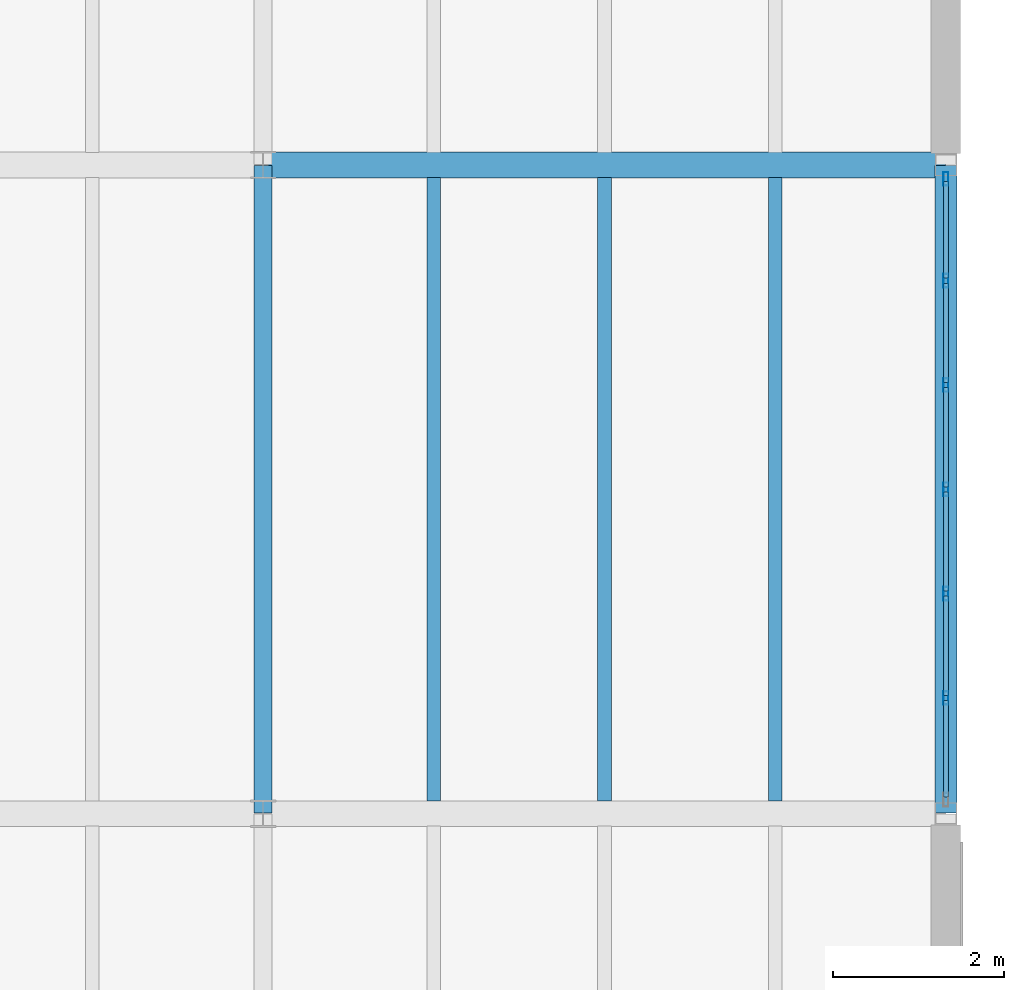
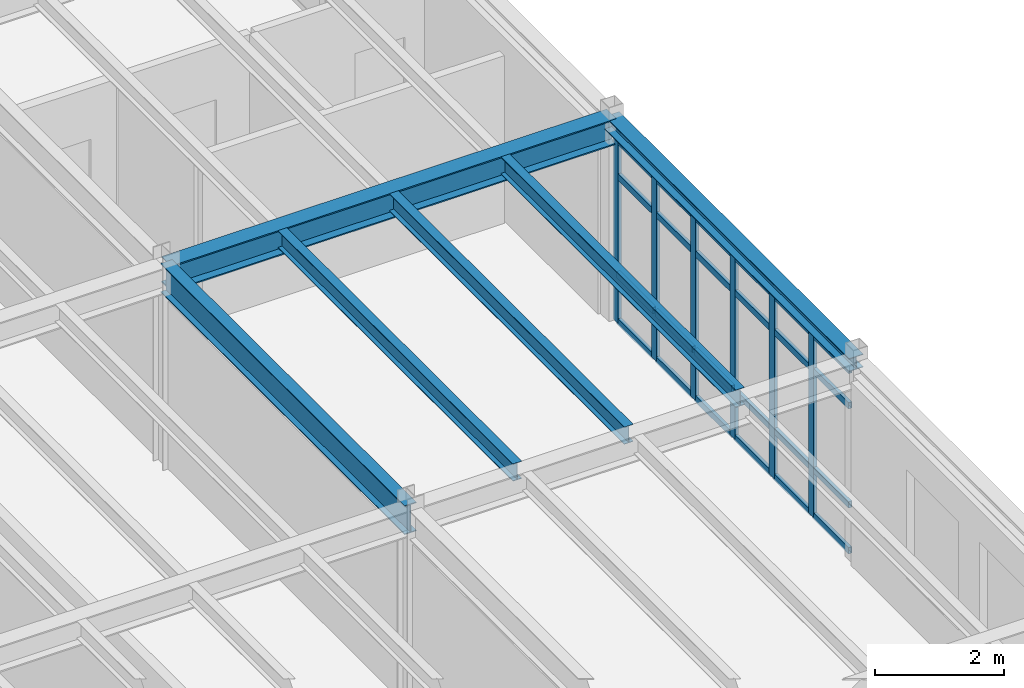
# One storey, part 120 of 189: 30 members, 6 beams, 1 element without a shape of its own.
"""IFC4 building model written with IfcOpenShell, lengths in metres."""

from ifc_helpers import new_model, si_unit, direction, frame, origin, origin_2d, place, context, subcontext, project, spatial, hollow_rectangle, i_section, extrude, material, layer, layer_set, material_profile, profile_set, type_object, element, aggregate, save


model = new_model("IFC4")

# Units and contexts
model_context = context("Model", 3, precision=1e-05, world=origin(), true_north=direction((0.0, 1.0)))
body_context = subcontext(model_context, "Body", "Model", "MODEL_VIEW")
ifc_project = project(units=[si_unit("LENGTHUNIT", "METRE"), si_unit("AREAUNIT", "SQUARE_METRE"), si_unit("VOLUMEUNIT", "CUBIC_METRE"), si_unit("PLANEANGLEUNIT", "RADIAN"), si_unit("MASSUNIT", "GRAM", prefix="KILO")], contexts=[model_context])

# Site, building, storey
site_placement = place(None, origin())
site = spatial("IfcSite", under=ifc_project, at=site_placement, CompositionType="ELEMENT")
building_placement = place(site_placement, origin())
building = spatial("IfcBuilding", under=site, at=building_placement, Name="Montecoro Central Library", CompositionType="ELEMENT")
storey_placement = place(building_placement, frame((0.0, 0.0, 9.179931640625)))
storey = spatial("IfcBuildingStorey", under=building, at=storey_placement, Name="L02", CompositionType="ELEMENT", Elevation=9.179931640625)

# Beams
ifc_material_1 = material(Name="Steel S355J2", Category="steel")
ifc_material_profile_1 = material_profile(ifc_material_1, i_section(OverallWidth=0.300048828125, OverallDepth=0.489990234375, WebThickness=0.011962890625, FlangeThickness=0.02294921875, at=origin_2d()), Name="HEA 500")
ifc_profile_set_1 = profile_set([ifc_material_profile_1], Name="Steel S355J2")
beam_type_1 = type_object("IfcBeamType", Name="BM-G-HEA500", PredefinedType="USERDEFINED", material=ifc_profile_set_1)
beam_1_placement = place(storey_placement, frame((165.0048828125, 27.800048828125, 3.580078125), z_axis=(1.0, 0.0, 0.0), x_axis=(0.0, 1.0, 0.0)))
element("IfcBeam", 1, at=beam_1_placement, inside=storey, type_object=beam_type_1, Name="V6-L02-BX-2122-D", ObjectType="GIRDER", PredefinedType="USERDEFINED", context=body_context, shape_type="SweptSolid", body=[
    extrude(i_section(OverallWidth=0.300048828125, OverallDepth=0.489990234375, WebThickness=0.011962890625, FlangeThickness=0.02294921875, at=origin_2d()), origin(), (0.0, 0.0, 1.0), 7.990234375),
])
ifc_material_profile_2 = material_profile(ifc_material_1, i_section(OverallWidth=0.2099609375, OverallDepth=0.550048828125, WebThickness=0.010986328125, FlangeThickness=0.01708984375, at=origin_2d()), Name="IPE 550")
ifc_profile_set_2 = profile_set([ifc_material_profile_2], Name="Steel S355J2")
beam_type_2 = type_object("IfcBeamType", Name="BM-G-IPE550", PredefinedType="USERDEFINED", material=ifc_profile_set_2)
beam_2_placement = place(storey_placement, frame((165.0, 20.205078125, 3.550048828125), z_axis=(0.0, 1.0, 0.0), x_axis=(-1.0, 0.0, 0.0)))
element("IfcBeam", 2, at=beam_2_placement, inside=storey, type_object=beam_type_2, Name="V6-L02-BY-21-CD", ObjectType="GIRDER", PredefinedType="USERDEFINED", context=body_context, shape_type="SweptSolid", body=[
    extrude(i_section(OverallWidth=0.2099609375, OverallDepth=0.550048828125, WebThickness=0.010986328125, FlangeThickness=0.01708984375, at=origin_2d()), origin(), (0.0, 0.0, 1.0), 7.58984375),
])
ifc_material_2 = material(Name="Steel S355", Category="steel")
ifc_material_profile_3 = material_profile(ifc_material_2, i_section(OverallWidth=0.159912109375, OverallDepth=0.330078125, WebThickness=0.007568359375, FlangeThickness=0.011474609375, at=origin_2d()), Name="IPE 330")
ifc_profile_set_3 = profile_set([ifc_material_profile_3], Name="Steel S355")
beam_type_3 = type_object("IfcBeamType", Name="BM-J-IPE330", PredefinedType="JOIST", material=ifc_profile_set_3)
for number, where, z_axis, x_axis, name in (
    (3, (167.0, 20.346923828125, 3.66015625), (0.0, 1.0, 0.0), (-1.0, 0.0, 0.0), "V6-L02-JS-2122-CD-1"),
    (4, (169.0, 20.346923828125, 3.66015625), (0.0, 1.0, 0.0), (-1.0, 0.0, 0.0), "V6-L02-JS-2122-CD-2"),
    (5, (171.0, 20.346923828125, 3.66015625), (0.0, 1.0, 0.0), (-1.0, 0.0, 0.0), "V6-L02-JS-2122-CD-3"),
):
    element("IfcBeam", number, at=place(storey_placement, frame(where, z_axis=z_axis, x_axis=x_axis)), inside=storey, type_object=beam_type_3, Name=name, PredefinedType="JOIST", context=body_context, shape_type="SweptSolid", body=[
        extrude(i_section(OverallWidth=0.159912109375, OverallDepth=0.330078125, WebThickness=0.007568359375, FlangeThickness=0.011474609375, at=origin_2d()), origin(), (0.0, 0.0, 1.0), 7.30615234375),
    ])
ifc_material_profile_4 = material_profile(ifc_material_2, i_section(OverallWidth=0.260009765625, OverallDepth=0.25, WebThickness=0.007568359375, FlangeThickness=0.012451171875, at=origin_2d()), Name="HEA 260")
ifc_profile_set_4 = profile_set([ifc_material_profile_4], Name="Steel S355")
beam_type_4 = type_object("IfcBeamType", Name="BM-SP-HEA260", PredefinedType="SPANDREL", material=ifc_profile_set_4)
beam_3_placement = place(storey_placement, frame((173.0, 20.205078125, 3.699951171875), z_axis=(0.0, 1.0, 0.0), x_axis=(-1.0, 0.0, 0.0)))
element("IfcBeam", 6, at=beam_3_placement, inside=storey, type_object=beam_type_4, Name="V6-L02-BY-22-CD", PredefinedType="SPANDREL", context=body_context, shape_type="SweptSolid", body=[
    extrude(i_section(OverallWidth=0.260009765625, OverallDepth=0.25, WebThickness=0.007568359375, FlangeThickness=0.012451171875, at=origin_2d()), origin(), (0.0, 0.0, 1.0), 7.58984375),
])

# Curtain wall, members
ifc_material_3 = material(Name="Bronze-anodised aluminium and low-E glazing", Category="aluminium")
ifc_layer = layer(ifc_material_3, 0.159912109375)
ifc_layer_set = layer_set([ifc_layer], Name="Bronze-anodised aluminium and low-E glazing")
curtain_wall_type = type_object("IfcCurtainWallType", Name="CWT-065", PredefinedType="NOTDEFINED", material=ifc_layer_set)
curtain_wall_placement = place(storey_placement, origin())
curtain_wall = element("IfcCurtainWall", 7, at=curtain_wall_placement, inside=storey, type_object=curtain_wall_type, Name="V6-L02-CW-E2", PredefinedType="NOTDEFINED")
ifc_material_4 = material(Name="Bronze-anodised aluminium", Category="aluminium")
ifc_material_profile_5 = material_profile(ifc_material_4, hollow_rectangle(XDim=0.06005859375, YDim=0.159912109375, WallThickness=0.00390625, at=origin_2d()), Name="CWM 160x60x4.0")
ifc_profile_set_5 = profile_set([ifc_material_profile_5], Name="Bronze-anodised aluminium")
member_type_1 = type_object("IfcMemberType", Name="CWM-BRZ-60", PredefinedType="MULLION", material=ifc_profile_set_5)
member_1_placement = place(storey_placement, frame((173.0, 21.555419921875, 0.0), z_axis=(0.0, 0.0, 1.0), x_axis=(-1.0, 0.0, 0.0)))
member_1 = element("IfcMember", 8, at=member_1_placement, type_object=member_type_1, Name="CW-065 mullion 2", PredefinedType="MULLION", context=body_context, shape_type="SweptSolid", body=[
    extrude(hollow_rectangle(XDim=0.06005859375, YDim=0.159912109375, WallThickness=0.00390625, at=origin_2d()), origin(), (0.0, 0.0, 1.0), 3.47998046875),
])
member_2_placement = place(storey_placement, frame((173.0, 22.777587890625, 0.0), z_axis=(0.0, 0.0, 1.0), x_axis=(-1.0, 0.0, 0.0)))
member_2 = element("IfcMember", 9, at=member_2_placement, type_object=member_type_1, Name="CW-065 mullion 3", PredefinedType="MULLION", context=body_context, shape_type="SweptSolid", body=[
    extrude(hollow_rectangle(XDim=0.06005859375, YDim=0.159912109375, WallThickness=0.00390625, at=origin_2d()), origin(), (0.0, 0.0, 1.0), 3.47998046875),
])
member_3_placement = place(storey_placement, frame((173.0, 24.0, 0.0), z_axis=(0.0, 0.0, 1.0), x_axis=(-1.0, 0.0, 0.0)))
member_3 = element("IfcMember", 10, at=member_3_placement, type_object=member_type_1, Name="CW-065 mullion 4", PredefinedType="MULLION", context=body_context, shape_type="SweptSolid", body=[
    extrude(hollow_rectangle(XDim=0.06005859375, YDim=0.159912109375, WallThickness=0.00390625, at=origin_2d()), origin(), (0.0, 0.0, 1.0), 3.47998046875),
])
member_4_placement = place(storey_placement, frame((173.0, 25.222412109375, 0.0), z_axis=(0.0, 0.0, 1.0), x_axis=(-1.0, 0.0, 0.0)))
member_4 = element("IfcMember", 11, at=member_4_placement, type_object=member_type_1, Name="CW-065 mullion 5", PredefinedType="MULLION", context=body_context, shape_type="SweptSolid", body=[
    extrude(hollow_rectangle(XDim=0.06005859375, YDim=0.159912109375, WallThickness=0.00390625, at=origin_2d()), origin(), (0.0, 0.0, 1.0), 3.47998046875),
])
member_5_placement = place(storey_placement, frame((173.0, 26.444580078125, 0.0), z_axis=(0.0, 0.0, 1.0), x_axis=(-1.0, 0.0, 0.0)))
member_5 = element("IfcMember", 12, at=member_5_placement, type_object=member_type_1, Name="CW-065 mullion 6", PredefinedType="MULLION", context=body_context, shape_type="SweptSolid", body=[
    extrude(hollow_rectangle(XDim=0.06005859375, YDim=0.159912109375, WallThickness=0.00390625, at=origin_2d()), origin(), (0.0, 0.0, 1.0), 3.47998046875),
])
member_6_placement = place(storey_placement, frame((173.0, 27.636962890625, 0.0), z_axis=(0.0, 0.0, 1.0), x_axis=(-1.0, 0.0, 0.0)))
member_6 = element("IfcMember", 13, at=member_6_placement, type_object=member_type_1, Name="CW-065 mullion 7", PredefinedType="MULLION", context=body_context, shape_type="SweptSolid", body=[
    extrude(hollow_rectangle(XDim=0.06005859375, YDim=0.159912109375, WallThickness=0.00390625, at=origin_2d()), origin(), (0.0, 0.0, 1.0), 3.47998046875),
])
ifc_material_profile_6 = material_profile(ifc_material_4, hollow_rectangle(XDim=0.06005859375, YDim=0.1201171875, WallThickness=0.00390625, at=origin_2d()), Name="CWT 120x60x4.0")
ifc_profile_set_6 = profile_set([ifc_material_profile_6], Name="Bronze-anodised aluminium")
member_type_2 = type_object("IfcMemberType", Name="CWT-BRZ-60", PredefinedType="USERDEFINED", material=ifc_profile_set_6)
member_7_placement = place(storey_placement, frame((173.0, 20.39306640625, 0.030029296875), z_axis=(0.0, 1.0, 0.0), x_axis=(-1.0, 0.0, 0.0)))
member_7 = element("IfcMember", 14, at=member_7_placement, type_object=member_type_2, Name="CW-065 transom 1.1", ObjectType="TRANSOM", PredefinedType="USERDEFINED", context=body_context, shape_type="SweptSolid", body=[
    extrude(hollow_rectangle(XDim=0.06005859375, YDim=0.1201171875, WallThickness=0.00390625, at=origin_2d()), origin(), (0.0, 0.0, 1.0), 1.13232421875),
])
member_8_placement = place(storey_placement, frame((173.0, 20.39306640625, 0.900146484375), z_axis=(0.0, 1.0, 0.0), x_axis=(-1.0, 0.0, 0.0)))
member_8 = element("IfcMember", 15, at=member_8_placement, type_object=member_type_2, Name="CW-065 transom 1.2", ObjectType="TRANSOM", PredefinedType="USERDEFINED", context=body_context, shape_type="SweptSolid", body=[
    extrude(hollow_rectangle(XDim=0.06005859375, YDim=0.1201171875, WallThickness=0.00390625, at=origin_2d()), origin(), (0.0, 0.0, 1.0), 1.13232421875),
])
member_9_placement = place(storey_placement, frame((173.0, 20.39306640625, 2.780029296875), z_axis=(0.0, 1.0, 0.0), x_axis=(-1.0, 0.0, 0.0)))
member_9 = element("IfcMember", 16, at=member_9_placement, type_object=member_type_2, Name="CW-065 transom 1.3", ObjectType="TRANSOM", PredefinedType="USERDEFINED", context=body_context, shape_type="SweptSolid", body=[
    extrude(hollow_rectangle(XDim=0.06005859375, YDim=0.1201171875, WallThickness=0.00390625, at=origin_2d()), origin(), (0.0, 0.0, 1.0), 1.13232421875),
])
member_10_placement = place(storey_placement, frame((173.0, 20.39306640625, 3.449951171875), z_axis=(0.0, 1.0, 0.0), x_axis=(-1.0, 0.0, 0.0)))
member_10 = element("IfcMember", 17, at=member_10_placement, type_object=member_type_2, Name="CW-065 transom 1.4", ObjectType="TRANSOM", PredefinedType="USERDEFINED", context=body_context, shape_type="SweptSolid", body=[
    extrude(hollow_rectangle(XDim=0.06005859375, YDim=0.1201171875, WallThickness=0.00390625, at=origin_2d()), origin(), (0.0, 0.0, 1.0), 1.13232421875),
])
member_11_placement = place(storey_placement, frame((173.0, 21.58544921875, 0.030029296875), z_axis=(0.0, 1.0, 0.0), x_axis=(-1.0, 0.0, 0.0)))
member_11 = element("IfcMember", 18, at=member_11_placement, type_object=member_type_2, Name="CW-065 transom 2.1", ObjectType="TRANSOM", PredefinedType="USERDEFINED", context=body_context, shape_type="SweptSolid", body=[
    extrude(hollow_rectangle(XDim=0.06005859375, YDim=0.1201171875, WallThickness=0.00390625, at=origin_2d()), origin(), (0.0, 0.0, 1.0), 1.162109375),
])
member_12_placement = place(storey_placement, frame((173.0, 21.58544921875, 0.900146484375), z_axis=(0.0, 1.0, 0.0), x_axis=(-1.0, 0.0, 0.0)))
member_12 = element("IfcMember", 19, at=member_12_placement, type_object=member_type_2, Name="CW-065 transom 2.2", ObjectType="TRANSOM", PredefinedType="USERDEFINED", context=body_context, shape_type="SweptSolid", body=[
    extrude(hollow_rectangle(XDim=0.06005859375, YDim=0.1201171875, WallThickness=0.00390625, at=origin_2d()), origin(), (0.0, 0.0, 1.0), 1.162109375),
])
member_13_placement = place(storey_placement, frame((173.0, 21.58544921875, 2.780029296875), z_axis=(0.0, 1.0, 0.0), x_axis=(-1.0, 0.0, 0.0)))
member_13 = element("IfcMember", 20, at=member_13_placement, type_object=member_type_2, Name="CW-065 transom 2.3", ObjectType="TRANSOM", PredefinedType="USERDEFINED", context=body_context, shape_type="SweptSolid", body=[
    extrude(hollow_rectangle(XDim=0.06005859375, YDim=0.1201171875, WallThickness=0.00390625, at=origin_2d()), origin(), (0.0, 0.0, 1.0), 1.162109375),
])
member_14_placement = place(storey_placement, frame((173.0, 21.58544921875, 3.449951171875), z_axis=(0.0, 1.0, 0.0), x_axis=(-1.0, 0.0, 0.0)))
member_14 = element("IfcMember", 21, at=member_14_placement, type_object=member_type_2, Name="CW-065 transom 2.4", ObjectType="TRANSOM", PredefinedType="USERDEFINED", context=body_context, shape_type="SweptSolid", body=[
    extrude(hollow_rectangle(XDim=0.06005859375, YDim=0.1201171875, WallThickness=0.00390625, at=origin_2d()), origin(), (0.0, 0.0, 1.0), 1.162109375),
])
member_15_placement = place(storey_placement, frame((173.0, 22.8076171875, 0.030029296875), z_axis=(0.0, 1.0, 0.0), x_axis=(-1.0, 0.0, 0.0)))
member_15 = element("IfcMember", 22, at=member_15_placement, type_object=member_type_2, Name="CW-065 transom 3.1", ObjectType="TRANSOM", PredefinedType="USERDEFINED", context=body_context, shape_type="SweptSolid", body=[
    extrude(hollow_rectangle(XDim=0.06005859375, YDim=0.1201171875, WallThickness=0.00390625, at=origin_2d()), origin(), (0.0, 0.0, 1.0), 1.162353515625),
])
member_16_placement = place(storey_placement, frame((173.0, 22.8076171875, 0.900146484375), z_axis=(0.0, 1.0, 0.0), x_axis=(-1.0, 0.0, 0.0)))
member_16 = element("IfcMember", 23, at=member_16_placement, type_object=member_type_2, Name="CW-065 transom 3.2", ObjectType="TRANSOM", PredefinedType="USERDEFINED", context=body_context, shape_type="SweptSolid", body=[
    extrude(hollow_rectangle(XDim=0.06005859375, YDim=0.1201171875, WallThickness=0.00390625, at=origin_2d()), origin(), (0.0, 0.0, 1.0), 1.162353515625),
])
member_17_placement = place(storey_placement, frame((173.0, 22.8076171875, 2.780029296875), z_axis=(0.0, 1.0, 0.0), x_axis=(-1.0, 0.0, 0.0)))
member_17 = element("IfcMember", 24, at=member_17_placement, type_object=member_type_2, Name="CW-065 transom 3.3", ObjectType="TRANSOM", PredefinedType="USERDEFINED", context=body_context, shape_type="SweptSolid", body=[
    extrude(hollow_rectangle(XDim=0.06005859375, YDim=0.1201171875, WallThickness=0.00390625, at=origin_2d()), origin(), (0.0, 0.0, 1.0), 1.162353515625),
])
member_18_placement = place(storey_placement, frame((173.0, 22.8076171875, 3.449951171875), z_axis=(0.0, 1.0, 0.0), x_axis=(-1.0, 0.0, 0.0)))
member_18 = element("IfcMember", 25, at=member_18_placement, type_object=member_type_2, Name="CW-065 transom 3.4", ObjectType="TRANSOM", PredefinedType="USERDEFINED", context=body_context, shape_type="SweptSolid", body=[
    extrude(hollow_rectangle(XDim=0.06005859375, YDim=0.1201171875, WallThickness=0.00390625, at=origin_2d()), origin(), (0.0, 0.0, 1.0), 1.162353515625),
])
member_19_placement = place(storey_placement, frame((173.0, 24.030029296875, 0.030029296875), z_axis=(0.0, 1.0, 0.0), x_axis=(-1.0, 0.0, 0.0)))
member_19 = element("IfcMember", 26, at=member_19_placement, type_object=member_type_2, Name="CW-065 transom 4.1", ObjectType="TRANSOM", PredefinedType="USERDEFINED", context=body_context, shape_type="SweptSolid", body=[
    extrude(hollow_rectangle(XDim=0.06005859375, YDim=0.1201171875, WallThickness=0.00390625, at=origin_2d()), origin(), (0.0, 0.0, 1.0), 1.162353515625),
])
member_20_placement = place(storey_placement, frame((173.0, 24.030029296875, 0.900146484375), z_axis=(0.0, 1.0, 0.0), x_axis=(-1.0, 0.0, 0.0)))
member_20 = element("IfcMember", 27, at=member_20_placement, type_object=member_type_2, Name="CW-065 transom 4.2", ObjectType="TRANSOM", PredefinedType="USERDEFINED", context=body_context, shape_type="SweptSolid", body=[
    extrude(hollow_rectangle(XDim=0.06005859375, YDim=0.1201171875, WallThickness=0.00390625, at=origin_2d()), origin(), (0.0, 0.0, 1.0), 1.162353515625),
])
member_21_placement = place(storey_placement, frame((173.0, 24.030029296875, 2.780029296875), z_axis=(0.0, 1.0, 0.0), x_axis=(-1.0, 0.0, 0.0)))
member_21 = element("IfcMember", 28, at=member_21_placement, type_object=member_type_2, Name="CW-065 transom 4.3", ObjectType="TRANSOM", PredefinedType="USERDEFINED", context=body_context, shape_type="SweptSolid", body=[
    extrude(hollow_rectangle(XDim=0.06005859375, YDim=0.1201171875, WallThickness=0.00390625, at=origin_2d()), origin(), (0.0, 0.0, 1.0), 1.162353515625),
])
member_22_placement = place(storey_placement, frame((173.0, 24.030029296875, 3.449951171875), z_axis=(0.0, 1.0, 0.0), x_axis=(-1.0, 0.0, 0.0)))
member_22 = element("IfcMember", 29, at=member_22_placement, type_object=member_type_2, Name="CW-065 transom 4.4", ObjectType="TRANSOM", PredefinedType="USERDEFINED", context=body_context, shape_type="SweptSolid", body=[
    extrude(hollow_rectangle(XDim=0.06005859375, YDim=0.1201171875, WallThickness=0.00390625, at=origin_2d()), origin(), (0.0, 0.0, 1.0), 1.162353515625),
])
member_23_placement = place(storey_placement, frame((173.0, 25.25244140625, 0.030029296875), z_axis=(0.0, 1.0, 0.0), x_axis=(-1.0, 0.0, 0.0)))
member_23 = element("IfcMember", 30, at=member_23_placement, type_object=member_type_2, Name="CW-065 transom 5.1", ObjectType="TRANSOM", PredefinedType="USERDEFINED", context=body_context, shape_type="SweptSolid", body=[
    extrude(hollow_rectangle(XDim=0.06005859375, YDim=0.1201171875, WallThickness=0.00390625, at=origin_2d()), origin(), (0.0, 0.0, 1.0), 1.162109375),
])
member_24_placement = place(storey_placement, frame((173.0, 25.25244140625, 0.900146484375), z_axis=(0.0, 1.0, 0.0), x_axis=(-1.0, 0.0, 0.0)))
member_24 = element("IfcMember", 31, at=member_24_placement, type_object=member_type_2, Name="CW-065 transom 5.2", ObjectType="TRANSOM", PredefinedType="USERDEFINED", context=body_context, shape_type="SweptSolid", body=[
    extrude(hollow_rectangle(XDim=0.06005859375, YDim=0.1201171875, WallThickness=0.00390625, at=origin_2d()), origin(), (0.0, 0.0, 1.0), 1.162109375),
])
member_25_placement = place(storey_placement, frame((173.0, 25.25244140625, 2.780029296875), z_axis=(0.0, 1.0, 0.0), x_axis=(-1.0, 0.0, 0.0)))
member_25 = element("IfcMember", 32, at=member_25_placement, type_object=member_type_2, Name="CW-065 transom 5.3", ObjectType="TRANSOM", PredefinedType="USERDEFINED", context=body_context, shape_type="SweptSolid", body=[
    extrude(hollow_rectangle(XDim=0.06005859375, YDim=0.1201171875, WallThickness=0.00390625, at=origin_2d()), origin(), (0.0, 0.0, 1.0), 1.162109375),
])
member_26_placement = place(storey_placement, frame((173.0, 25.25244140625, 3.449951171875), z_axis=(0.0, 1.0, 0.0), x_axis=(-1.0, 0.0, 0.0)))
member_26 = element("IfcMember", 33, at=member_26_placement, type_object=member_type_2, Name="CW-065 transom 5.4", ObjectType="TRANSOM", PredefinedType="USERDEFINED", context=body_context, shape_type="SweptSolid", body=[
    extrude(hollow_rectangle(XDim=0.06005859375, YDim=0.1201171875, WallThickness=0.00390625, at=origin_2d()), origin(), (0.0, 0.0, 1.0), 1.162109375),
])
member_27_placement = place(storey_placement, frame((173.0, 26.474609375, 0.030029296875), z_axis=(0.0, 1.0, 0.0), x_axis=(-1.0, 0.0, 0.0)))
member_27 = element("IfcMember", 34, at=member_27_placement, type_object=member_type_2, Name="CW-065 transom 6.1", ObjectType="TRANSOM", PredefinedType="USERDEFINED", context=body_context, shape_type="SweptSolid", body=[
    extrude(hollow_rectangle(XDim=0.06005859375, YDim=0.1201171875, WallThickness=0.00390625, at=origin_2d()), origin(), (0.0, 0.0, 1.0), 1.13232421875),
])
member_28_placement = place(storey_placement, frame((173.0, 26.474609375, 0.900146484375), z_axis=(0.0, 1.0, 0.0), x_axis=(-1.0, 0.0, 0.0)))
member_28 = element("IfcMember", 35, at=member_28_placement, type_object=member_type_2, Name="CW-065 transom 6.2", ObjectType="TRANSOM", PredefinedType="USERDEFINED", context=body_context, shape_type="SweptSolid", body=[
    extrude(hollow_rectangle(XDim=0.06005859375, YDim=0.1201171875, WallThickness=0.00390625, at=origin_2d()), origin(), (0.0, 0.0, 1.0), 1.13232421875),
])
member_29_placement = place(storey_placement, frame((173.0, 26.474609375, 2.780029296875), z_axis=(0.0, 1.0, 0.0), x_axis=(-1.0, 0.0, 0.0)))
member_29 = element("IfcMember", 36, at=member_29_placement, type_object=member_type_2, Name="CW-065 transom 6.3", ObjectType="TRANSOM", PredefinedType="USERDEFINED", context=body_context, shape_type="SweptSolid", body=[
    extrude(hollow_rectangle(XDim=0.06005859375, YDim=0.1201171875, WallThickness=0.00390625, at=origin_2d()), origin(), (0.0, 0.0, 1.0), 1.13232421875),
])
member_30_placement = place(storey_placement, frame((173.0, 26.474609375, 3.449951171875), z_axis=(0.0, 1.0, 0.0), x_axis=(-1.0, 0.0, 0.0)))
member_30 = element("IfcMember", 37, at=member_30_placement, type_object=member_type_2, Name="CW-065 transom 6.4", ObjectType="TRANSOM", PredefinedType="USERDEFINED", context=body_context, shape_type="SweptSolid", body=[
    extrude(hollow_rectangle(XDim=0.06005859375, YDim=0.1201171875, WallThickness=0.00390625, at=origin_2d()), origin(), (0.0, 0.0, 1.0), 1.13232421875),
])
aggregate(curtain_wall, [member_1, member_2, member_3, member_4, member_5, member_6, member_7, member_8, member_9, member_10, member_11, member_12, member_13, member_14, member_15, member_16, member_17, member_18, member_19, member_20, member_21, member_22, member_23, member_24, member_25, member_26, member_27, member_28, member_29, member_30])

save(model, "model.ifc")
